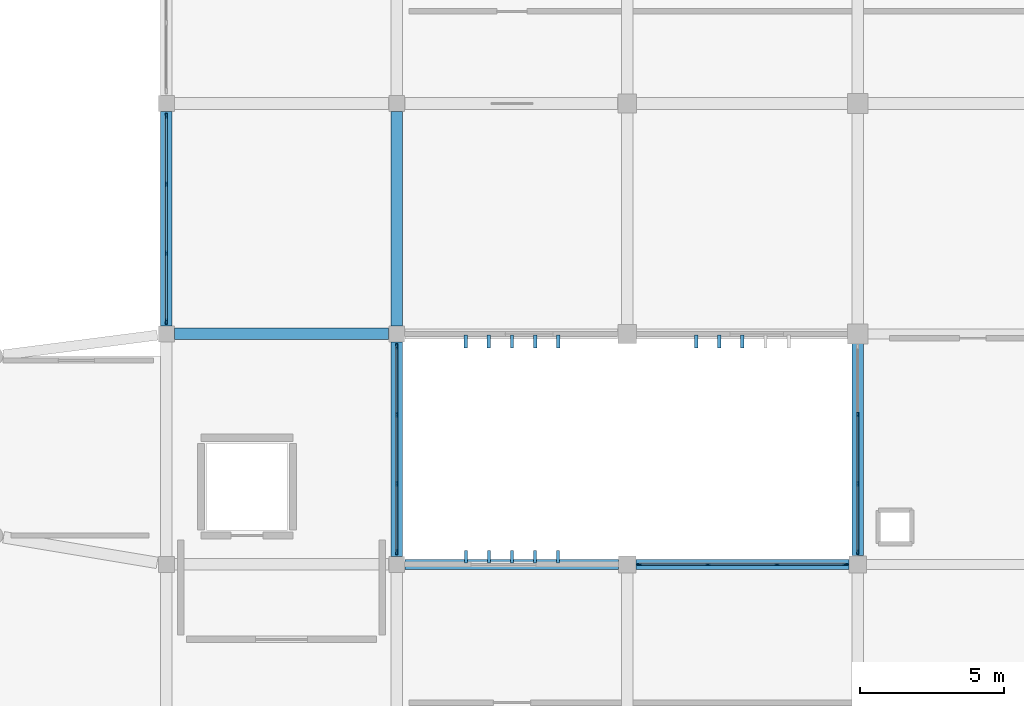
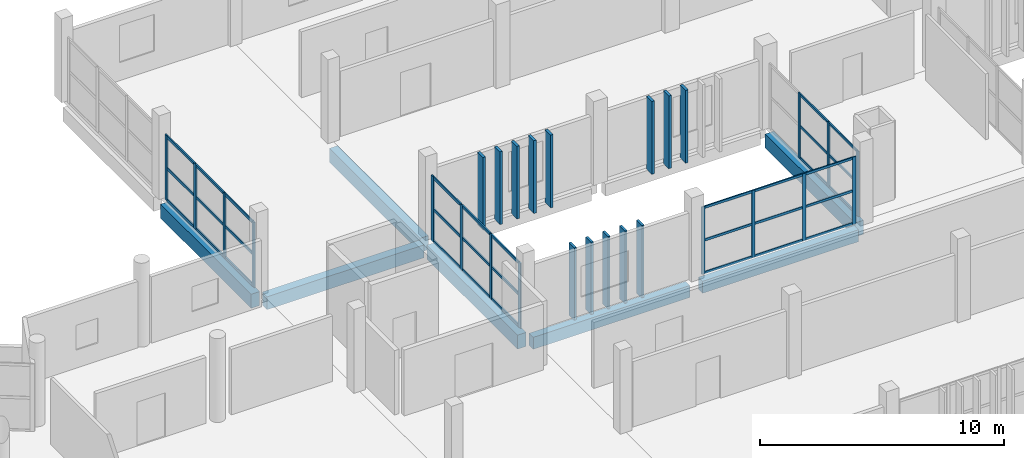
# One storey, part 22 of 83: 61 members, 7 beams, 4 elements without a shape of their own.
"""IFC4 building model written with IfcOpenShell, lengths in metres."""

from ifc_helpers import new_model, si_unit, direction, frame, origin, origin_2d, place, context, subcontext, project, spatial, rectangle, extrude, material, layer, layer_set, material_profile, profile_set, type_object, element, aggregate, save


model = new_model("IFC4")

# Units and contexts
model_context = context("Model", 3, precision=1e-05, world=origin(), true_north=direction((0.0, 1.0)))
body_context = subcontext(model_context, "Body", "Model", "MODEL_VIEW")
ifc_project = project(units=[si_unit("LENGTHUNIT", "METRE"), si_unit("AREAUNIT", "SQUARE_METRE"), si_unit("VOLUMEUNIT", "CUBIC_METRE"), si_unit("PLANEANGLEUNIT", "RADIAN"), si_unit("MASSUNIT", "GRAM", prefix="KILO")], contexts=[model_context])

# Site, building, storey
site_placement = place(None, origin())
site = spatial("IfcSite", under=ifc_project, at=site_placement, CompositionType="ELEMENT")
building_placement = place(site_placement, origin())
building = spatial("IfcBuilding", under=site, at=building_placement, Name="Jelvoka-Kovrelna Polytechnic", CompositionType="ELEMENT")
storey_placement = place(building_placement, frame((0.0, 0.0, 13.800048828125)))
storey = spatial("IfcBuildingStorey", under=building, at=storey_placement, Name="L04", CompositionType="ELEMENT", Elevation=13.800048828125)

# Beams
ifc_material_1 = material(Name="Concrete C40/50", Category="concrete")
ifc_material_profile_1 = material_profile(ifc_material_1, rectangle(XDim=0.39990234375, YDim=0.64990234375, at=origin_2d()), Name="RC 400x650")
ifc_profile_set_1 = profile_set([ifc_material_profile_1], Name="Concrete C40/50")
beam_type_1 = type_object("IfcBeamType", Name="Beam_RC_400x650", PredefinedType="BEAM", material=ifc_profile_set_1)
beam_1_placement = place(storey_placement, frame((48.280029296875, 56.0, -0.574951171875), z_axis=(1.0, 0.0, 0.0), x_axis=(0.0, 1.0, 0.0)))
element("IfcBeam", 1, at=beam_1_placement, inside=storey, type_object=beam_type_1, Name="L04 beam 1347", PredefinedType="BEAM", context=body_context, shape_type="SweptSolid", body=[
    extrude(rectangle(XDim=0.39990234375, YDim=0.64990234375, at=origin_2d()), origin(), (0.0, 0.0, 1.0), 7.43994140625),
])
ifc_material_2 = material(Name="Concrete C40/50", Category="concrete")
ifc_material_profile_2 = material_profile(ifc_material_2, rectangle(XDim=0.39990234375, YDim=0.699951171875, at=origin_2d()), Name="RC 400x700")
ifc_profile_set_2 = profile_set([ifc_material_profile_2], Name="Concrete C40/50")
beam_type_2 = type_object("IfcBeamType", Name="Beam_RC_400x700", PredefinedType="BEAM", material=ifc_profile_set_2)
for number, where, z_axis, x_axis, name in (
    (2, (56.0, 56.280029296875, -0.60009765625), (0.0, 1.0, 0.0), (-1.0, 0.0, 0.0), "L04 beam 1278"),
    (3, (48.0, 56.280029296875, -0.60009765625), (0.0, 1.0, 0.0), (-1.0, 0.0, 0.0), "L04 beam 1355"),
    (4, (56.0, 48.280029296875, -0.60009765625), (0.0, 1.0, 0.0), (-1.0, 0.0, 0.0), "L04 beam 1358"),
):
    element("IfcBeam", number, at=place(storey_placement, frame(where, z_axis=z_axis, x_axis=x_axis)), inside=storey, type_object=beam_type_2, Name=name, PredefinedType="BEAM", context=body_context, shape_type="SweptSolid", body=[
        extrude(rectangle(XDim=0.39990234375, YDim=0.699951171875, at=origin_2d()), origin(), (0.0, 0.0, 1.0), 7.43994140625),
    ])
beam_2_placement = place(storey_placement, frame((72.0, 48.304931640625, -0.60009765625), z_axis=(0.0, 1.0, 0.0), x_axis=(-1.0, 0.0, 0.0)))
element("IfcBeam", 5, at=beam_2_placement, inside=storey, type_object=beam_type_2, Name="L04 beam 1363", PredefinedType="BEAM", context=body_context, shape_type="SweptSolid", body=[
    extrude(rectangle(XDim=0.39990234375, YDim=0.699951171875, at=origin_2d()), origin(), (0.0, 0.0, 1.0), 7.364990234375),
])

# Members
ifc_material_3 = material(Name="Precast concrete C40/50", Category="concrete")
ifc_material_profile_3 = material_profile(ifc_material_3, rectangle(XDim=0.10009765625, YDim=0.449951171875, at=origin_2d()), Name="PC 100x450")
ifc_profile_set_3 = profile_set([ifc_material_profile_3], Name="Precast concrete C40/50")
member_type_1 = type_object("IfcMemberType", Name="Louvre_Fin_100x450", PredefinedType="USERDEFINED", material=ifc_profile_set_3)
for number, where, z_axis, x_axis, name in (
    (6, (58.39990234375, 48.264892578125, -0.27001953125), (0.0, 0.0, 1.0), (1.0, 0.0, 0.0), "L04 B2W north vertical solar louvre fin 0706"),
    (7, (59.199951171875, 48.264892578125, -0.27001953125), (0.0, 0.0, 1.0), (1.0, 0.0, 0.0), "L04 B2W north vertical solar louvre fin 0707"),
    (8, (60.0, 48.264892578125, -0.27001953125), (0.0, 0.0, 1.0), (1.0, 0.0, 0.0), "L04 B2W north vertical solar louvre fin 0708"),
    (9, (60.800048828125, 48.264892578125, -0.27001953125), (0.0, 0.0, 1.0), (1.0, 0.0, 0.0), "L04 B2W north vertical solar louvre fin 0709"),
    (10, (61.60009765625, 48.264892578125, -0.27001953125), (0.0, 0.0, 1.0), (1.0, 0.0, 0.0), "L04 B2W north vertical solar louvre fin 0710"),
):
    element("IfcMember", number, at=place(storey_placement, frame(where, z_axis=z_axis, x_axis=x_axis)), inside=storey, type_object=member_type_1, Name=name, ObjectType="SUNSHADE", PredefinedType="USERDEFINED", context=body_context, shape_type="SweptSolid", body=[
        extrude(rectangle(XDim=0.10009765625, YDim=0.449951171875, at=origin_2d()), origin(), (0.0, 0.0, 1.0), 3.64501953125),
    ])
ifc_material_4 = material(Name="Precast concrete C40/50", Category="concrete")
ifc_material_profile_4 = material_profile(ifc_material_4, rectangle(XDim=0.1201171875, YDim=0.449951171875, at=origin_2d()), Name="PC 120x450")
ifc_profile_set_4 = profile_set([ifc_material_profile_4], Name="Precast concrete C40/50")
member_type_2 = type_object("IfcMemberType", Name="Louvre_Fin_120x450", PredefinedType="USERDEFINED", material=ifc_profile_set_4)
for number, where, z_axis, x_axis, name in (
    (11, (58.39990234375, 55.735107421875, -0.27001953125), (0.0, 0.0, 1.0), (1.0, 0.0, 0.0), "L04 B3 south vertical solar louvre fin 1621"),
    (12, (59.199951171875, 55.735107421875, -0.27001953125), (0.0, 0.0, 1.0), (1.0, 0.0, 0.0), "L04 B3 south vertical solar louvre fin 1622"),
    (13, (60.0, 55.735107421875, -0.27001953125), (0.0, 0.0, 1.0), (1.0, 0.0, 0.0), "L04 B3 south vertical solar louvre fin 1623"),
    (14, (60.800048828125, 55.735107421875, -0.27001953125), (0.0, 0.0, 1.0), (1.0, 0.0, 0.0), "L04 B3 south vertical solar louvre fin 1624"),
    (15, (61.60009765625, 55.735107421875, -0.27001953125), (0.0, 0.0, 1.0), (1.0, 0.0, 0.0), "L04 B3 south vertical solar louvre fin 1625"),
    (16, (66.39990234375, 55.735107421875, -0.27001953125), (0.0, 0.0, 1.0), (1.0, 0.0, 0.0), "L04 B3 south vertical solar louvre fin 1631"),
    (17, (67.199951171875, 55.735107421875, -0.27001953125), (0.0, 0.0, 1.0), (1.0, 0.0, 0.0), "L04 B3 south vertical solar louvre fin 1632"),
    (18, (68.0, 55.735107421875, -0.27001953125), (0.0, 0.0, 1.0), (1.0, 0.0, 0.0), "L04 B3 south vertical solar louvre fin 1633"),
):
    element("IfcMember", number, at=place(storey_placement, frame(where, z_axis=z_axis, x_axis=x_axis)), inside=storey, type_object=member_type_2, Name=name, ObjectType="SUNSHADE", PredefinedType="USERDEFINED", context=body_context, shape_type="SweptSolid", body=[
        extrude(rectangle(XDim=0.1201171875, YDim=0.449951171875, at=origin_2d()), origin(), (0.0, 0.0, 1.0), 3.64501953125),
    ])

# Curtain wall, members
ifc_material_5 = material(Name="Anodised aluminium 6063-T6", Category="aluminium")
ifc_layer_1 = layer(ifc_material_5, 0.159912109375)
ifc_layer_set_1 = layer_set([ifc_layer_1], Name="Anodised aluminium 6063-T6")
curtain_wall_type_1 = type_object("IfcCurtainWallType", Name="CW_Recessed_A", PredefinedType="NOTDEFINED", material=ifc_layer_set_1)
curtain_wall_1_placement = place(storey_placement, origin())
curtain_wall_1 = element("IfcCurtainWall", 19, at=curtain_wall_1_placement, inside=storey, type_object=curtain_wall_type_1, Name="L04 glazed curtain wall 028", PredefinedType="NOTDEFINED")
ifc_material_6 = material(Name="Anodised aluminium 6063-T6", Category="aluminium")
ifc_material_profile_5 = material_profile(ifc_material_6, rectangle(XDim=0.06005859375, YDim=0.159912109375, at=origin_2d()), Name="ALU 60x160")
ifc_profile_set_5 = profile_set([ifc_material_profile_5], Name="Anodised aluminium 6063-T6")
member_type_3 = type_object("IfcMemberType", Name="Mullion_M-01", PredefinedType="MULLION", material=ifc_profile_set_5)
member_1_placement = place(storey_placement, frame((64.429931640625, 48.0, -0.02490234375), z_axis=(0.0, 0.0, 1.0), x_axis=(0.0, 1.0, 0.0)))
member_1 = element("IfcMember", 20, at=member_1_placement, type_object=member_type_3, Name="CW-01 mullion 1", PredefinedType="MULLION", context=body_context, shape_type="SweptSolid", body=[
    extrude(rectangle(XDim=0.06005859375, YDim=0.159912109375, at=origin_2d()), origin(), (0.0, 0.0, 1.0), 3.375),
])
member_2_placement = place(storey_placement, frame((66.800048828125, 48.0, -0.02490234375), z_axis=(0.0, 0.0, 1.0), x_axis=(0.0, 1.0, 0.0)))
member_2 = element("IfcMember", 21, at=member_2_placement, type_object=member_type_3, Name="CW-01 mullion 2", PredefinedType="MULLION", context=body_context, shape_type="SweptSolid", body=[
    extrude(rectangle(XDim=0.06005859375, YDim=0.159912109375, at=origin_2d()), origin(), (0.0, 0.0, 1.0), 3.375),
])
member_3_placement = place(storey_placement, frame((69.199951171875, 48.0, -0.02490234375), z_axis=(0.0, 0.0, 1.0), x_axis=(0.0, 1.0, 0.0)))
member_3 = element("IfcMember", 22, at=member_3_placement, type_object=member_type_3, Name="CW-01 mullion 3", PredefinedType="MULLION", context=body_context, shape_type="SweptSolid", body=[
    extrude(rectangle(XDim=0.06005859375, YDim=0.159912109375, at=origin_2d()), origin(), (0.0, 0.0, 1.0), 3.375),
])
member_4_placement = place(storey_placement, frame((71.570068359375, 48.0, -0.02490234375), z_axis=(0.0, 0.0, 1.0), x_axis=(0.0, 1.0, 0.0)))
member_4 = element("IfcMember", 23, at=member_4_placement, type_object=member_type_3, Name="CW-01 mullion 4", PredefinedType="MULLION", context=body_context, shape_type="SweptSolid", body=[
    extrude(rectangle(XDim=0.06005859375, YDim=0.159912109375, at=origin_2d()), origin(), (0.0, 0.0, 1.0), 3.375),
])

ifc_material_7 = material(Name="Anodised aluminium 6063-T6", Category="aluminium")
ifc_layer_2 = layer(ifc_material_7, 0.159912109375)
ifc_layer_set_2 = layer_set([ifc_layer_2], Name="Anodised aluminium 6063-T6")
curtain_wall_type_2 = type_object("IfcCurtainWallType", Name="CW_LinkBridge", PredefinedType="NOTDEFINED", material=ifc_layer_set_2)
curtain_wall_2_placement = place(storey_placement, origin())
curtain_wall_2 = element("IfcCurtainWall", 24, at=curtain_wall_2_placement, inside=storey, type_object=curtain_wall_type_2, Name="L04 glazed curtain wall 134", PredefinedType="NOTDEFINED")
ifc_material_8 = material(Name="Anodised aluminium 6063-T6", Category="aluminium")
ifc_material_profile_6 = material_profile(ifc_material_8, rectangle(XDim=0.06005859375, YDim=0.159912109375, at=origin_2d()), Name="ALU 60x160")
ifc_profile_set_6 = profile_set([ifc_material_profile_6], Name="Anodised aluminium 6063-T6")
member_type_4 = type_object("IfcMemberType", Name="Mullion_M-04", PredefinedType="MULLION", material=ifc_profile_set_6)
member_5_placement = place(storey_placement, frame((72.0, 48.429931640625, -0.02490234375), z_axis=(0.0, 0.0, 1.0), x_axis=(-1.0, 0.0, 0.0)))
member_5 = element("IfcMember", 25, at=member_5_placement, type_object=member_type_4, Name="CW-04 mullion 1", PredefinedType="MULLION", context=body_context, shape_type="SweptSolid", body=[
    extrude(rectangle(XDim=0.06005859375, YDim=0.159912109375, at=origin_2d()), origin(), (0.0, 0.0, 1.0), 3.27490234375),
])
member_6_placement = place(storey_placement, frame((72.0, 50.800048828125, -0.02490234375), z_axis=(0.0, 0.0, 1.0), x_axis=(-1.0, 0.0, 0.0)))
member_6 = element("IfcMember", 26, at=member_6_placement, type_object=member_type_4, Name="CW-04 mullion 2", PredefinedType="MULLION", context=body_context, shape_type="SweptSolid", body=[
    extrude(rectangle(XDim=0.06005859375, YDim=0.159912109375, at=origin_2d()), origin(), (0.0, 0.0, 1.0), 3.27490234375),
])
member_7_placement = place(storey_placement, frame((72.0, 53.199951171875, -0.02490234375), z_axis=(0.0, 0.0, 1.0), x_axis=(-1.0, 0.0, 0.0)))
member_7 = element("IfcMember", 27, at=member_7_placement, type_object=member_type_4, Name="CW-04 mullion 3", PredefinedType="MULLION", context=body_context, shape_type="SweptSolid", body=[
    extrude(rectangle(XDim=0.06005859375, YDim=0.159912109375, at=origin_2d()), origin(), (0.0, 0.0, 1.0), 3.27490234375),
])

ifc_material_9 = material(Name="Anodised aluminium 6063-T6", Category="aluminium")
ifc_layer_3 = layer(ifc_material_9, 0.179931640625)
ifc_layer_set_3 = layer_set([ifc_layer_3], Name="Anodised aluminium 6063-T6")
curtain_wall_type_3 = type_object("IfcCurtainWallType", Name="CW_Pavilion", PredefinedType="NOTDEFINED", material=ifc_layer_set_3)
curtain_wall_3_placement = place(storey_placement, origin())
curtain_wall_3 = element("IfcCurtainWall", 28, at=curtain_wall_3_placement, inside=storey, type_object=curtain_wall_type_3, Name="L04 glazed curtain wall 141", PredefinedType="NOTDEFINED")
ifc_material_10 = material(Name="Anodised aluminium 6063-T6", Category="aluminium")
ifc_material_profile_7 = material_profile(ifc_material_10, rectangle(XDim=0.06494140625, YDim=0.179931640625, at=origin_2d()), Name="ALU 65x180")
ifc_profile_set_7 = profile_set([ifc_material_profile_7], Name="Anodised aluminium 6063-T6")
member_type_5 = type_object("IfcMemberType", Name="Mullion_M-05", PredefinedType="MULLION", material=ifc_profile_set_7)
member_8_placement = place(storey_placement, frame((56.0, 55.5673828125, -0.02490234375), z_axis=(0.0, 0.0, 1.0), x_axis=(1.0, 0.0, 0.0)))
member_8 = element("IfcMember", 29, at=member_8_placement, type_object=member_type_5, Name="CW-05 mullion 1", PredefinedType="MULLION", context=body_context, shape_type="SweptSolid", body=[
    extrude(rectangle(XDim=0.06494140625, YDim=0.179931640625, at=origin_2d()), origin(), (0.0, 0.0, 1.0), 3.27490234375),
])
member_9_placement = place(storey_placement, frame((56.0, 53.199951171875, -0.02490234375), z_axis=(0.0, 0.0, 1.0), x_axis=(1.0, 0.0, 0.0)))
member_9 = element("IfcMember", 30, at=member_9_placement, type_object=member_type_5, Name="CW-05 mullion 2", PredefinedType="MULLION", context=body_context, shape_type="SweptSolid", body=[
    extrude(rectangle(XDim=0.06494140625, YDim=0.179931640625, at=origin_2d()), origin(), (0.0, 0.0, 1.0), 3.27490234375),
])
member_10_placement = place(storey_placement, frame((56.0, 50.800048828125, -0.02490234375), z_axis=(0.0, 0.0, 1.0), x_axis=(1.0, 0.0, 0.0)))
member_10 = element("IfcMember", 31, at=member_10_placement, type_object=member_type_5, Name="CW-05 mullion 3", PredefinedType="MULLION", context=body_context, shape_type="SweptSolid", body=[
    extrude(rectangle(XDim=0.06494140625, YDim=0.179931640625, at=origin_2d()), origin(), (0.0, 0.0, 1.0), 3.27490234375),
])
member_11_placement = place(storey_placement, frame((56.0, 48.4326171875, -0.02490234375), z_axis=(0.0, 0.0, 1.0), x_axis=(1.0, 0.0, 0.0)))
member_11 = element("IfcMember", 32, at=member_11_placement, type_object=member_type_5, Name="CW-05 mullion 4", PredefinedType="MULLION", context=body_context, shape_type="SweptSolid", body=[
    extrude(rectangle(XDim=0.06494140625, YDim=0.179931640625, at=origin_2d()), origin(), (0.0, 0.0, 1.0), 3.27490234375),
])

curtain_wall_4_placement = place(storey_placement, origin())
curtain_wall_4 = element("IfcCurtainWall", 33, at=curtain_wall_4_placement, inside=storey, type_object=curtain_wall_type_3, Name="L04 glazed curtain wall 142", PredefinedType="NOTDEFINED")
member_12_placement = place(storey_placement, frame((48.0, 56.4326171875, -0.02490234375), z_axis=(0.0, 0.0, 1.0), x_axis=(-1.0, 0.0, 0.0)))
member_12 = element("IfcMember", 34, at=member_12_placement, type_object=member_type_5, Name="CW-05 mullion 1", PredefinedType="MULLION", context=body_context, shape_type="SweptSolid", body=[
    extrude(rectangle(XDim=0.06494140625, YDim=0.179931640625, at=origin_2d()), origin(), (0.0, 0.0, 1.0), 3.27490234375),
])
member_13_placement = place(storey_placement, frame((48.0, 58.800048828125, -0.02490234375), z_axis=(0.0, 0.0, 1.0), x_axis=(-1.0, 0.0, 0.0)))
member_13 = element("IfcMember", 35, at=member_13_placement, type_object=member_type_5, Name="CW-05 mullion 2", PredefinedType="MULLION", context=body_context, shape_type="SweptSolid", body=[
    extrude(rectangle(XDim=0.06494140625, YDim=0.179931640625, at=origin_2d()), origin(), (0.0, 0.0, 1.0), 3.27490234375),
])
member_14_placement = place(storey_placement, frame((48.0, 61.199951171875, -0.02490234375), z_axis=(0.0, 0.0, 1.0), x_axis=(-1.0, 0.0, 0.0)))
member_14 = element("IfcMember", 36, at=member_14_placement, type_object=member_type_5, Name="CW-05 mullion 3", PredefinedType="MULLION", context=body_context, shape_type="SweptSolid", body=[
    extrude(rectangle(XDim=0.06494140625, YDim=0.179931640625, at=origin_2d()), origin(), (0.0, 0.0, 1.0), 3.27490234375),
])
member_15_placement = place(storey_placement, frame((48.0, 63.5673828125, -0.02490234375), z_axis=(0.0, 0.0, 1.0), x_axis=(-1.0, 0.0, 0.0)))
member_15 = element("IfcMember", 37, at=member_15_placement, type_object=member_type_5, Name="CW-05 mullion 4", PredefinedType="MULLION", context=body_context, shape_type="SweptSolid", body=[
    extrude(rectangle(XDim=0.06494140625, YDim=0.179931640625, at=origin_2d()), origin(), (0.0, 0.0, 1.0), 3.27490234375),
])

# Beams
ifc_material_11 = material(Name="Concrete C40/50", Category="concrete")
ifc_material_profile_8 = material_profile(ifc_material_11, rectangle(XDim=0.35009765625, YDim=0.60009765625, at=origin_2d()), Name="RC 350x600")
ifc_profile_set_8 = profile_set([ifc_material_profile_8], Name="Concrete C40/50")
beam_type_3 = type_object("IfcBeamType", Name="Spandrel_RC_350x600", PredefinedType="SPANDREL", material=ifc_profile_set_8)
beam_3_placement = place(storey_placement, frame((56.280029296875, 48.0, -0.550048828125), z_axis=(1.0, 0.0, 0.0), x_axis=(0.0, 1.0, 0.0)))
element("IfcBeam", 38, at=beam_3_placement, inside=storey, type_object=beam_type_3, Name="L04 beam 1189", PredefinedType="SPANDREL", context=body_context, shape_type="SweptSolid", body=[
    extrude(rectangle(XDim=0.35009765625, YDim=0.60009765625, at=origin_2d()), origin(), (0.0, 0.0, 1.0), 7.4150390625),
])
beam_4_placement = place(storey_placement, frame((64.304931640625, 48.0, -0.550048828125), z_axis=(1.0, 0.0, 0.0), x_axis=(0.0, 1.0, 0.0)))
element("IfcBeam", 39, at=beam_4_placement, inside=storey, type_object=beam_type_3, Name="L04 beam 1190", PredefinedType="SPANDREL", context=body_context, shape_type="SweptSolid", body=[
    extrude(rectangle(XDim=0.35009765625, YDim=0.60009765625, at=origin_2d()), origin(), (0.0, 0.0, 1.0), 7.39013671875),
])

# Member
ifc_material_12 = material(Name="Anodised aluminium 6063-T6", Category="aluminium")
ifc_material_profile_9 = material_profile(ifc_material_12, rectangle(XDim=0.06005859375, YDim=0.1201171875, at=origin_2d()), Name="ALU 60x120")
ifc_profile_set_9 = profile_set([ifc_material_profile_9], Name="Anodised aluminium 6063-T6")
member_type_6 = type_object("IfcMemberType", Name="Transom_T-01", PredefinedType="USERDEFINED", material=ifc_profile_set_9)
member_16_placement = place(storey_placement, frame((64.4599609375, 48.0, 0.030029296875), z_axis=(1.0, 0.0, 0.0), x_axis=(0.0, 1.0, 0.0)))
member_16 = element("IfcMember", 40, at=member_16_placement, type_object=member_type_6, Name="CW-01 transom 1.1", ObjectType="TRANSOM", PredefinedType="USERDEFINED", context=body_context, shape_type="SweptSolid", body=[
    extrude(rectangle(XDim=0.06005859375, YDim=0.1201171875, at=origin_2d()), origin(), (0.0, 0.0, 1.0), 2.31005859375),
])

member_17_placement = place(storey_placement, frame((64.4599609375, 48.0, 1.662353515625), z_axis=(1.0, 0.0, 0.0), x_axis=(0.0, 1.0, 0.0)))
member_17 = element("IfcMember", 41, at=member_17_placement, type_object=member_type_6, Name="CW-01 transom 1.2", ObjectType="TRANSOM", PredefinedType="USERDEFINED", context=body_context, shape_type="SweptSolid", body=[
    extrude(rectangle(XDim=0.06005859375, YDim=0.1201171875, at=origin_2d()), origin(), (0.0, 0.0, 1.0), 2.31005859375),
])

member_18_placement = place(storey_placement, frame((64.4599609375, 48.0, 3.294921875), z_axis=(1.0, 0.0, 0.0), x_axis=(0.0, 1.0, 0.0)))
member_18 = element("IfcMember", 42, at=member_18_placement, type_object=member_type_6, Name="CW-01 transom 1.3", ObjectType="TRANSOM", PredefinedType="USERDEFINED", context=body_context, shape_type="SweptSolid", body=[
    extrude(rectangle(XDim=0.06005859375, YDim=0.1201171875, at=origin_2d()), origin(), (0.0, 0.0, 1.0), 2.31005859375),
])

member_19_placement = place(storey_placement, frame((66.830078125, 48.0, 0.030029296875), z_axis=(1.0, 0.0, 0.0), x_axis=(0.0, 1.0, 0.0)))
member_19 = element("IfcMember", 43, at=member_19_placement, type_object=member_type_6, Name="CW-01 transom 2.1", ObjectType="TRANSOM", PredefinedType="USERDEFINED", context=body_context, shape_type="SweptSolid", body=[
    extrude(rectangle(XDim=0.06005859375, YDim=0.1201171875, at=origin_2d()), origin(), (0.0, 0.0, 1.0), 2.33984375),
])

member_20_placement = place(storey_placement, frame((66.830078125, 48.0, 1.662353515625), z_axis=(1.0, 0.0, 0.0), x_axis=(0.0, 1.0, 0.0)))
member_20 = element("IfcMember", 44, at=member_20_placement, type_object=member_type_6, Name="CW-01 transom 2.2", ObjectType="TRANSOM", PredefinedType="USERDEFINED", context=body_context, shape_type="SweptSolid", body=[
    extrude(rectangle(XDim=0.06005859375, YDim=0.1201171875, at=origin_2d()), origin(), (0.0, 0.0, 1.0), 2.33984375),
])

member_21_placement = place(storey_placement, frame((66.830078125, 48.0, 3.294921875), z_axis=(1.0, 0.0, 0.0), x_axis=(0.0, 1.0, 0.0)))
member_21 = element("IfcMember", 45, at=member_21_placement, type_object=member_type_6, Name="CW-01 transom 2.3", ObjectType="TRANSOM", PredefinedType="USERDEFINED", context=body_context, shape_type="SweptSolid", body=[
    extrude(rectangle(XDim=0.06005859375, YDim=0.1201171875, at=origin_2d()), origin(), (0.0, 0.0, 1.0), 2.33984375),
])

member_22_placement = place(storey_placement, frame((69.22998046875, 48.0, 0.030029296875), z_axis=(1.0, 0.0, 0.0), x_axis=(0.0, 1.0, 0.0)))
member_22 = element("IfcMember", 46, at=member_22_placement, type_object=member_type_6, Name="CW-01 transom 3.1", ObjectType="TRANSOM", PredefinedType="USERDEFINED", context=body_context, shape_type="SweptSolid", body=[
    extrude(rectangle(XDim=0.06005859375, YDim=0.1201171875, at=origin_2d()), origin(), (0.0, 0.0, 1.0), 2.31005859375),
])

member_23_placement = place(storey_placement, frame((69.22998046875, 48.0, 1.662353515625), z_axis=(1.0, 0.0, 0.0), x_axis=(0.0, 1.0, 0.0)))
member_23 = element("IfcMember", 47, at=member_23_placement, type_object=member_type_6, Name="CW-01 transom 3.2", ObjectType="TRANSOM", PredefinedType="USERDEFINED", context=body_context, shape_type="SweptSolid", body=[
    extrude(rectangle(XDim=0.06005859375, YDim=0.1201171875, at=origin_2d()), origin(), (0.0, 0.0, 1.0), 2.31005859375),
])

member_24_placement = place(storey_placement, frame((69.22998046875, 48.0, 3.294921875), z_axis=(1.0, 0.0, 0.0), x_axis=(0.0, 1.0, 0.0)))
member_24 = element("IfcMember", 48, at=member_24_placement, type_object=member_type_6, Name="CW-01 transom 3.3", ObjectType="TRANSOM", PredefinedType="USERDEFINED", context=body_context, shape_type="SweptSolid", body=[
    extrude(rectangle(XDim=0.06005859375, YDim=0.1201171875, at=origin_2d()), origin(), (0.0, 0.0, 1.0), 2.31005859375),
])

aggregate(curtain_wall_1, [member_1, member_2, member_3, member_4, member_16, member_17, member_18, member_19, member_20, member_21, member_22, member_23, member_24])

ifc_material_13 = material(Name="Anodised aluminium 6063-T6", Category="aluminium")
ifc_material_profile_10 = material_profile(ifc_material_13, rectangle(XDim=0.06005859375, YDim=0.1201171875, at=origin_2d()), Name="ALU 60x120")
ifc_profile_set_10 = profile_set([ifc_material_profile_10], Name="Anodised aluminium 6063-T6")
member_type_7 = type_object("IfcMemberType", Name="Transom_T-04", PredefinedType="USERDEFINED", material=ifc_profile_set_10)
member_25_placement = place(storey_placement, frame((72.0, 48.4599609375, 0.030029296875), z_axis=(0.0, 1.0, 0.0), x_axis=(-1.0, 0.0, 0.0)))
member_25 = element("IfcMember", 49, at=member_25_placement, type_object=member_type_7, Name="CW-04 transom 1.1", ObjectType="TRANSOM", PredefinedType="USERDEFINED", context=body_context, shape_type="SweptSolid", body=[
    extrude(rectangle(XDim=0.06005859375, YDim=0.1201171875, at=origin_2d()), origin(), (0.0, 0.0, 1.0), 2.31005859375),
])

member_26_placement = place(storey_placement, frame((72.0, 48.4599609375, 1.612548828125), z_axis=(0.0, 1.0, 0.0), x_axis=(-1.0, 0.0, 0.0)))
member_26 = element("IfcMember", 50, at=member_26_placement, type_object=member_type_7, Name="CW-04 transom 1.2", ObjectType="TRANSOM", PredefinedType="USERDEFINED", context=body_context, shape_type="SweptSolid", body=[
    extrude(rectangle(XDim=0.06005859375, YDim=0.1201171875, at=origin_2d()), origin(), (0.0, 0.0, 1.0), 2.31005859375),
])

member_27_placement = place(storey_placement, frame((72.0, 48.4599609375, 3.195068359375), z_axis=(0.0, 1.0, 0.0), x_axis=(-1.0, 0.0, 0.0)))
member_27 = element("IfcMember", 51, at=member_27_placement, type_object=member_type_7, Name="CW-04 transom 1.3", ObjectType="TRANSOM", PredefinedType="USERDEFINED", context=body_context, shape_type="SweptSolid", body=[
    extrude(rectangle(XDim=0.06005859375, YDim=0.1201171875, at=origin_2d()), origin(), (0.0, 0.0, 1.0), 2.31005859375),
])

member_28_placement = place(storey_placement, frame((72.0, 50.830078125, 0.030029296875), z_axis=(0.0, 1.0, 0.0), x_axis=(-1.0, 0.0, 0.0)))
member_28 = element("IfcMember", 52, at=member_28_placement, type_object=member_type_7, Name="CW-04 transom 2.1", ObjectType="TRANSOM", PredefinedType="USERDEFINED", context=body_context, shape_type="SweptSolid", body=[
    extrude(rectangle(XDim=0.06005859375, YDim=0.1201171875, at=origin_2d()), origin(), (0.0, 0.0, 1.0), 2.33984375),
])

member_29_placement = place(storey_placement, frame((72.0, 50.830078125, 1.612548828125), z_axis=(0.0, 1.0, 0.0), x_axis=(-1.0, 0.0, 0.0)))
member_29 = element("IfcMember", 53, at=member_29_placement, type_object=member_type_7, Name="CW-04 transom 2.2", ObjectType="TRANSOM", PredefinedType="USERDEFINED", context=body_context, shape_type="SweptSolid", body=[
    extrude(rectangle(XDim=0.06005859375, YDim=0.1201171875, at=origin_2d()), origin(), (0.0, 0.0, 1.0), 2.33984375),
])

member_30_placement = place(storey_placement, frame((72.0, 50.830078125, 3.195068359375), z_axis=(0.0, 1.0, 0.0), x_axis=(-1.0, 0.0, 0.0)))
member_30 = element("IfcMember", 54, at=member_30_placement, type_object=member_type_7, Name="CW-04 transom 2.3", ObjectType="TRANSOM", PredefinedType="USERDEFINED", context=body_context, shape_type="SweptSolid", body=[
    extrude(rectangle(XDim=0.06005859375, YDim=0.1201171875, at=origin_2d()), origin(), (0.0, 0.0, 1.0), 2.33984375),
])

aggregate(curtain_wall_2, [member_5, member_6, member_7, member_25, member_26, member_27, member_28, member_29, member_30])

ifc_material_14 = material(Name="Anodised aluminium 6063-T6", Category="aluminium")
ifc_material_profile_11 = material_profile(ifc_material_14, rectangle(XDim=0.06494140625, YDim=0.135009765625, at=origin_2d()), Name="ALU 65x135")
ifc_profile_set_11 = profile_set([ifc_material_profile_11], Name="Anodised aluminium 6063-T6")
member_type_8 = type_object("IfcMemberType", Name="Transom_T-05", PredefinedType="USERDEFINED", material=ifc_profile_set_11)
member_31_placement = place(storey_placement, frame((56.0, 55.534912109375, 0.032470703125), z_axis=(0.0, -1.0, 0.0), x_axis=(1.0, 0.0, 0.0)))
member_31 = element("IfcMember", 55, at=member_31_placement, type_object=member_type_8, Name="CW-05 transom 1.1", ObjectType="TRANSOM", PredefinedType="USERDEFINED", context=body_context, shape_type="SweptSolid", body=[
    extrude(rectangle(XDim=0.06494140625, YDim=0.135009765625, at=origin_2d()), origin(), (0.0, 0.0, 1.0), 2.302490234375),
])

member_32_placement = place(storey_placement, frame((56.0, 55.534912109375, 1.612548828125), z_axis=(0.0, -1.0, 0.0), x_axis=(1.0, 0.0, 0.0)))
member_32 = element("IfcMember", 56, at=member_32_placement, type_object=member_type_8, Name="CW-05 transom 1.2", ObjectType="TRANSOM", PredefinedType="USERDEFINED", context=body_context, shape_type="SweptSolid", body=[
    extrude(rectangle(XDim=0.06494140625, YDim=0.135009765625, at=origin_2d()), origin(), (0.0, 0.0, 1.0), 2.302490234375),
])

member_33_placement = place(storey_placement, frame((56.0, 55.534912109375, 3.1923828125), z_axis=(0.0, -1.0, 0.0), x_axis=(1.0, 0.0, 0.0)))
member_33 = element("IfcMember", 57, at=member_33_placement, type_object=member_type_8, Name="CW-05 transom 1.3", ObjectType="TRANSOM", PredefinedType="USERDEFINED", context=body_context, shape_type="SweptSolid", body=[
    extrude(rectangle(XDim=0.06494140625, YDim=0.135009765625, at=origin_2d()), origin(), (0.0, 0.0, 1.0), 2.302490234375),
])

member_34_placement = place(storey_placement, frame((56.0, 53.16748046875, 0.032470703125), z_axis=(0.0, -1.0, 0.0), x_axis=(1.0, 0.0, 0.0)))
member_34 = element("IfcMember", 58, at=member_34_placement, type_object=member_type_8, Name="CW-05 transom 2.1", ObjectType="TRANSOM", PredefinedType="USERDEFINED", context=body_context, shape_type="SweptSolid", body=[
    extrude(rectangle(XDim=0.06494140625, YDim=0.135009765625, at=origin_2d()), origin(), (0.0, 0.0, 1.0), 2.3349609375),
])

member_35_placement = place(storey_placement, frame((56.0, 53.16748046875, 1.612548828125), z_axis=(0.0, -1.0, 0.0), x_axis=(1.0, 0.0, 0.0)))
member_35 = element("IfcMember", 59, at=member_35_placement, type_object=member_type_8, Name="CW-05 transom 2.2", ObjectType="TRANSOM", PredefinedType="USERDEFINED", context=body_context, shape_type="SweptSolid", body=[
    extrude(rectangle(XDim=0.06494140625, YDim=0.135009765625, at=origin_2d()), origin(), (0.0, 0.0, 1.0), 2.3349609375),
])

member_36_placement = place(storey_placement, frame((56.0, 53.16748046875, 3.1923828125), z_axis=(0.0, -1.0, 0.0), x_axis=(1.0, 0.0, 0.0)))
member_36 = element("IfcMember", 60, at=member_36_placement, type_object=member_type_8, Name="CW-05 transom 2.3", ObjectType="TRANSOM", PredefinedType="USERDEFINED", context=body_context, shape_type="SweptSolid", body=[
    extrude(rectangle(XDim=0.06494140625, YDim=0.135009765625, at=origin_2d()), origin(), (0.0, 0.0, 1.0), 2.3349609375),
])

member_37_placement = place(storey_placement, frame((56.0, 50.767578125, 0.032470703125), z_axis=(0.0, -1.0, 0.0), x_axis=(1.0, 0.0, 0.0)))
member_37 = element("IfcMember", 61, at=member_37_placement, type_object=member_type_8, Name="CW-05 transom 3.1", ObjectType="TRANSOM", PredefinedType="USERDEFINED", context=body_context, shape_type="SweptSolid", body=[
    extrude(rectangle(XDim=0.06494140625, YDim=0.135009765625, at=origin_2d()), origin(), (0.0, 0.0, 1.0), 2.302490234375),
])

member_38_placement = place(storey_placement, frame((56.0, 50.767578125, 1.612548828125), z_axis=(0.0, -1.0, 0.0), x_axis=(1.0, 0.0, 0.0)))
member_38 = element("IfcMember", 62, at=member_38_placement, type_object=member_type_8, Name="CW-05 transom 3.2", ObjectType="TRANSOM", PredefinedType="USERDEFINED", context=body_context, shape_type="SweptSolid", body=[
    extrude(rectangle(XDim=0.06494140625, YDim=0.135009765625, at=origin_2d()), origin(), (0.0, 0.0, 1.0), 2.302490234375),
])

member_39_placement = place(storey_placement, frame((56.0, 50.767578125, 3.1923828125), z_axis=(0.0, -1.0, 0.0), x_axis=(1.0, 0.0, 0.0)))
member_39 = element("IfcMember", 63, at=member_39_placement, type_object=member_type_8, Name="CW-05 transom 3.3", ObjectType="TRANSOM", PredefinedType="USERDEFINED", context=body_context, shape_type="SweptSolid", body=[
    extrude(rectangle(XDim=0.06494140625, YDim=0.135009765625, at=origin_2d()), origin(), (0.0, 0.0, 1.0), 2.302490234375),
])

aggregate(curtain_wall_3, [member_8, member_9, member_10, member_11, member_31, member_32, member_33, member_34, member_35, member_36, member_37, member_38, member_39])

member_40_placement = place(storey_placement, frame((48.0, 56.465087890625, 0.032470703125), z_axis=(0.0, 1.0, 0.0), x_axis=(-1.0, 0.0, 0.0)))
member_40 = element("IfcMember", 64, at=member_40_placement, type_object=member_type_8, Name="CW-05 transom 1.1", ObjectType="TRANSOM", PredefinedType="USERDEFINED", context=body_context, shape_type="SweptSolid", body=[
    extrude(rectangle(XDim=0.06494140625, YDim=0.135009765625, at=origin_2d()), origin(), (0.0, 0.0, 1.0), 2.302490234375),
])

member_41_placement = place(storey_placement, frame((48.0, 56.465087890625, 1.612548828125), z_axis=(0.0, 1.0, 0.0), x_axis=(-1.0, 0.0, 0.0)))
member_41 = element("IfcMember", 65, at=member_41_placement, type_object=member_type_8, Name="CW-05 transom 1.2", ObjectType="TRANSOM", PredefinedType="USERDEFINED", context=body_context, shape_type="SweptSolid", body=[
    extrude(rectangle(XDim=0.06494140625, YDim=0.135009765625, at=origin_2d()), origin(), (0.0, 0.0, 1.0), 2.302490234375),
])

member_42_placement = place(storey_placement, frame((48.0, 56.465087890625, 3.1923828125), z_axis=(0.0, 1.0, 0.0), x_axis=(-1.0, 0.0, 0.0)))
member_42 = element("IfcMember", 66, at=member_42_placement, type_object=member_type_8, Name="CW-05 transom 1.3", ObjectType="TRANSOM", PredefinedType="USERDEFINED", context=body_context, shape_type="SweptSolid", body=[
    extrude(rectangle(XDim=0.06494140625, YDim=0.135009765625, at=origin_2d()), origin(), (0.0, 0.0, 1.0), 2.302490234375),
])

member_43_placement = place(storey_placement, frame((48.0, 58.83251953125, 0.032470703125), z_axis=(0.0, 1.0, 0.0), x_axis=(-1.0, 0.0, 0.0)))
member_43 = element("IfcMember", 67, at=member_43_placement, type_object=member_type_8, Name="CW-05 transom 2.1", ObjectType="TRANSOM", PredefinedType="USERDEFINED", context=body_context, shape_type="SweptSolid", body=[
    extrude(rectangle(XDim=0.06494140625, YDim=0.135009765625, at=origin_2d()), origin(), (0.0, 0.0, 1.0), 2.3349609375),
])

member_44_placement = place(storey_placement, frame((48.0, 58.83251953125, 1.612548828125), z_axis=(0.0, 1.0, 0.0), x_axis=(-1.0, 0.0, 0.0)))
member_44 = element("IfcMember", 68, at=member_44_placement, type_object=member_type_8, Name="CW-05 transom 2.2", ObjectType="TRANSOM", PredefinedType="USERDEFINED", context=body_context, shape_type="SweptSolid", body=[
    extrude(rectangle(XDim=0.06494140625, YDim=0.135009765625, at=origin_2d()), origin(), (0.0, 0.0, 1.0), 2.3349609375),
])

member_45_placement = place(storey_placement, frame((48.0, 58.83251953125, 3.1923828125), z_axis=(0.0, 1.0, 0.0), x_axis=(-1.0, 0.0, 0.0)))
member_45 = element("IfcMember", 69, at=member_45_placement, type_object=member_type_8, Name="CW-05 transom 2.3", ObjectType="TRANSOM", PredefinedType="USERDEFINED", context=body_context, shape_type="SweptSolid", body=[
    extrude(rectangle(XDim=0.06494140625, YDim=0.135009765625, at=origin_2d()), origin(), (0.0, 0.0, 1.0), 2.3349609375),
])

member_46_placement = place(storey_placement, frame((48.0, 61.232421875, 0.032470703125), z_axis=(0.0, 1.0, 0.0), x_axis=(-1.0, 0.0, 0.0)))
member_46 = element("IfcMember", 70, at=member_46_placement, type_object=member_type_8, Name="CW-05 transom 3.1", ObjectType="TRANSOM", PredefinedType="USERDEFINED", context=body_context, shape_type="SweptSolid", body=[
    extrude(rectangle(XDim=0.06494140625, YDim=0.135009765625, at=origin_2d()), origin(), (0.0, 0.0, 1.0), 2.302490234375),
])

member_47_placement = place(storey_placement, frame((48.0, 61.232421875, 1.612548828125), z_axis=(0.0, 1.0, 0.0), x_axis=(-1.0, 0.0, 0.0)))
member_47 = element("IfcMember", 71, at=member_47_placement, type_object=member_type_8, Name="CW-05 transom 3.2", ObjectType="TRANSOM", PredefinedType="USERDEFINED", context=body_context, shape_type="SweptSolid", body=[
    extrude(rectangle(XDim=0.06494140625, YDim=0.135009765625, at=origin_2d()), origin(), (0.0, 0.0, 1.0), 2.302490234375),
])

member_48_placement = place(storey_placement, frame((48.0, 61.232421875, 3.1923828125), z_axis=(0.0, 1.0, 0.0), x_axis=(-1.0, 0.0, 0.0)))
member_48 = element("IfcMember", 72, at=member_48_placement, type_object=member_type_8, Name="CW-05 transom 3.3", ObjectType="TRANSOM", PredefinedType="USERDEFINED", context=body_context, shape_type="SweptSolid", body=[
    extrude(rectangle(XDim=0.06494140625, YDim=0.135009765625, at=origin_2d()), origin(), (0.0, 0.0, 1.0), 2.302490234375),
])

aggregate(curtain_wall_4, [member_12, member_13, member_14, member_15, member_40, member_41, member_42, member_43, member_44, member_45, member_46, member_47, member_48])

save(model, "model.ifc")
